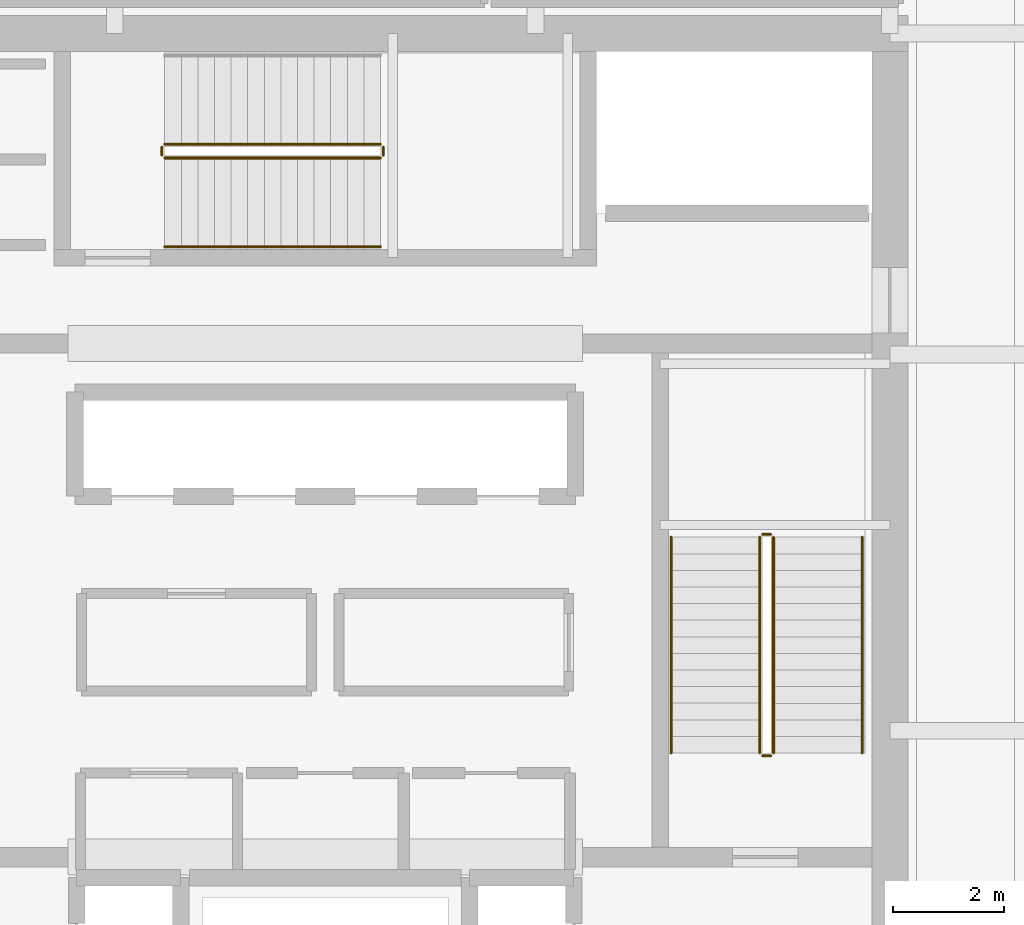
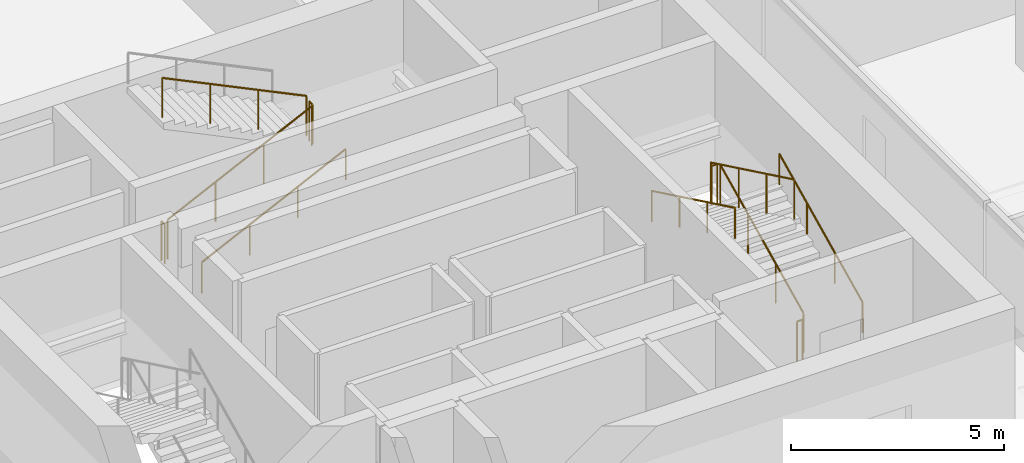
# One storey, part 35 of 36: 11 railings.
"""IFC4 building model written with IfcOpenShell, lengths in metres."""

from ifc_helpers import new_model, si_unit, direction, frame, origin, origin_2d, place, context, subcontext, project, spatial, circle, extrude, material, type_object, element, save


model = new_model("IFC4")

# Units and contexts
model_context = context("Model", 3, precision=1e-05, world=origin(), true_north=direction((0.0, 1.0)))
body_context = subcontext(model_context, "Body", "Model", "MODEL_VIEW")
ifc_project = project(units=[si_unit("LENGTHUNIT", "METRE"), si_unit("AREAUNIT", "SQUARE_METRE"), si_unit("VOLUMEUNIT", "CUBIC_METRE"), si_unit("PLANEANGLEUNIT", "RADIAN"), si_unit("MASSUNIT", "GRAM", prefix="KILO")], contexts=[model_context])

# Site, building, storey
site_placement = place(None, origin())
site = spatial("IfcSite", under=ifc_project, at=site_placement, CompositionType="ELEMENT")
building_placement = place(site_placement, origin())
building = spatial("IfcBuilding", under=site, at=building_placement, Name="Punatoya Terracotta Tower", CompositionType="ELEMENT")
storey_placement = place(building_placement, frame((0.0, 0.0, 208.64990234375)))
storey = spatial("IfcBuildingStorey", under=building, at=storey_placement, Name="L49", CompositionType="ELEMENT", Elevation=208.64990234375)

# Railings
ifc_material = material(Name="Steel S355", Category="steel")
railing_type_1 = type_object("IfcRailingType", Name="RLG-GRD-1150", PredefinedType="GUARDRAIL", material=ifc_material)
railing_1_placement = place(storey_placement, frame((8.10009765625, -3.800048828125, 0.144775390625)))
element("IfcRailing", 1, at=railing_1_placement, inside=storey, type_object=railing_type_1, Name="L49 ST-2 stair guard 1", PredefinedType="GUARDRAIL", context=body_context, shape_type="SweptSolid", body=[
    extrude(circle(Radius=0.02392578125, at=origin_2d()), frame((0.0, 0.0, 1.1259765625), z_axis=(0.0, 0.900773802044, 0.434288564841), x_axis=(-1.0, 0.0, 0.0)), (0.0, 0.0, 1.0), 4.329833984375),
    extrude(circle(Radius=0.02099609375, at=origin_2d()), origin(), (0.0, 0.0, 1.0), 1.101806640625),
    extrude(circle(Radius=0.02099609375, at=origin_2d()), frame((0.0, 1.300048828125, 0.626708984375)), (0.0, 0.0, 1.0), 1.101806640625),
    extrude(circle(Radius=0.02099609375, at=origin_2d()), frame((0.0, 2.60009765625, 1.253662109375)), (0.0, 0.0, 1.0), 1.101806640625),
    extrude(circle(Radius=0.02099609375, at=origin_2d()), frame((0.0, 3.900146484375, 1.88037109375)), (0.0, 0.0, 1.0), 1.101806640625),
])
railing_2_placement = place(storey_placement, frame((8.050048828125, 0.14990234375, 2.025146484375)))
element("IfcRailing", 2, at=railing_2_placement, inside=storey, type_object=railing_type_1, Name="L49 ST-2 stair guard 2", PredefinedType="GUARDRAIL", context=body_context, shape_type="SweptSolid", body=[
    extrude(circle(Radius=0.02392578125, at=origin_2d()), frame((0.0, 0.0, 1.1259765625), z_axis=(-1.0, 0.0, 0.0), x_axis=(0.0, -1.0, 0.0)), (0.0, 0.0, 1.0), 0.150146484375),
    extrude(circle(Radius=0.02099609375, at=origin_2d()), origin(), (0.0, 0.0, 1.0), 1.101806640625),
    extrude(circle(Radius=0.02099609375, at=origin_2d()), frame((-0.150146484375, 0.0, 0.0)), (0.0, 0.0, 1.0), 1.101806640625),
])
railing_3_placement = place(storey_placement, frame((7.85009765625, 0.10009765625, 2.169677734375)))
element("IfcRailing", 3, at=railing_3_placement, inside=storey, type_object=railing_type_1, Name="L49 ST-2 stair guard 3", PredefinedType="GUARDRAIL", context=body_context, shape_type="SweptSolid", body=[
    extrude(circle(Radius=0.02392578125, at=origin_2d()), frame((0.0, 0.0, 1.1259765625), z_axis=(0.0, -0.900773802044, 0.434288564841), x_axis=(1.0, 0.0, 0.0)), (0.0, 0.0, 1.0), 4.329833984375),
    extrude(circle(Radius=0.02099609375, at=origin_2d()), origin(), (0.0, 0.0, 1.0), 1.101806640625),
    extrude(circle(Radius=0.02099609375, at=origin_2d()), frame((0.0, -1.300048828125, 0.626708984375)), (0.0, 0.0, 1.0), 1.101806640625),
    extrude(circle(Radius=0.02099609375, at=origin_2d()), frame((0.0, -2.60009765625, 1.253662109375)), (0.0, 0.0, 1.0), 1.101806640625),
    extrude(circle(Radius=0.02099609375, at=origin_2d()), frame((0.0, -3.900146484375, 1.88037109375)), (0.0, 0.0, 1.0), 1.101806640625),
])
railing_4_placement = place(storey_placement, frame((8.050048828125, -3.85009765625, 0.0)))
element("IfcRailing", 4, at=railing_4_placement, inside=storey, type_object=railing_type_1, Name="L49 ST-2 stair guard 4", PredefinedType="GUARDRAIL", context=body_context, shape_type="SweptSolid", body=[
    extrude(circle(Radius=0.02392578125, at=origin_2d()), frame((0.0, 0.0, 1.1259765625), z_axis=(-1.0, 0.0, 0.0), x_axis=(0.0, -1.0, 0.0)), (0.0, 0.0, 1.0), 0.150146484375),
    extrude(circle(Radius=0.02099609375, at=origin_2d()), origin(), (0.0, 0.0, 1.0), 1.101806640625),
    extrude(circle(Radius=0.02099609375, at=origin_2d()), frame((-0.150146484375, 0.0, 0.0)), (0.0, 0.0, 1.0), 1.101806640625),
])
railing_5_placement = place(storey_placement, frame((-2.89990234375, 6.949951171875, 0.144775390625)))
element("IfcRailing", 5, at=railing_5_placement, inside=storey, type_object=railing_type_1, Name="L49 ST-3 stair guard 1", PredefinedType="GUARDRAIL", context=body_context, shape_type="SweptSolid", body=[
    extrude(circle(Radius=0.02392578125, at=origin_2d()), frame((0.0, 0.0, 1.1259765625), z_axis=(0.900763166376, 0.0, 0.434310623978), x_axis=(0.0, 1.0, 0.0)), (0.0, 0.0, 1.0), 4.32958984375),
    extrude(circle(Radius=0.02099609375, at=origin_2d()), origin(), (0.0, 0.0, 1.0), 1.101806640625),
    extrude(circle(Radius=0.02099609375, at=origin_2d()), frame((1.300048828125, 0.0, 0.626708984375)), (0.0, 0.0, 1.0), 1.101806640625),
    extrude(circle(Radius=0.02099609375, at=origin_2d()), frame((2.599853515625, 0.0, 1.253662109375)), (0.0, 0.0, 1.0), 1.101806640625),
    extrude(circle(Radius=0.02099609375, at=origin_2d()), frame((3.89990234375, 0.0, 1.88037109375)), (0.0, 0.0, 1.0), 1.101806640625),
])
railing_6_placement = place(storey_placement, frame((1.050048828125, 7.0, 2.025146484375)))
element("IfcRailing", 6, at=railing_6_placement, inside=storey, type_object=railing_type_1, Name="L49 ST-3 stair guard 2", PredefinedType="GUARDRAIL", context=body_context, shape_type="SweptSolid", body=[
    extrude(circle(Radius=0.02392578125, at=origin_2d()), frame((0.0, 0.0, 1.1259765625), z_axis=(0.0, 1.0, 0.0), x_axis=(-1.0, 0.0, 0.0)), (0.0, 0.0, 1.0), 0.14990234375),
    extrude(circle(Radius=0.02099609375, at=origin_2d()), origin(), (0.0, 0.0, 1.0), 1.101806640625),
    extrude(circle(Radius=0.02099609375, at=origin_2d()), frame((0.0, 0.14990234375, 0.0)), (0.0, 0.0, 1.0), 1.101806640625),
])
railing_7_placement = place(storey_placement, frame((1.0, 7.199951171875, 2.169677734375)))
element("IfcRailing", 7, at=railing_7_placement, inside=storey, type_object=railing_type_1, Name="L49 ST-3 stair guard 3", PredefinedType="GUARDRAIL", context=body_context, shape_type="SweptSolid", body=[
    extrude(circle(Radius=0.02392578125, at=origin_2d()), frame((0.0, 0.0, 1.1259765625), z_axis=(-0.900763166376, 0.0, 0.434310623978), x_axis=(0.0, -1.0, 0.0)), (0.0, 0.0, 1.0), 4.32958984375),
    extrude(circle(Radius=0.02099609375, at=origin_2d()), origin(), (0.0, 0.0, 1.0), 1.101806640625),
    extrude(circle(Radius=0.02099609375, at=origin_2d()), frame((-1.300048828125, 0.0, 0.626708984375)), (0.0, 0.0, 1.0), 1.101806640625),
    extrude(circle(Radius=0.02099609375, at=origin_2d()), frame((-2.599853515625, 0.0, 1.253662109375)), (0.0, 0.0, 1.0), 1.101806640625),
    extrude(circle(Radius=0.02099609375, at=origin_2d()), frame((-3.89990234375, 0.0, 1.88037109375)), (0.0, 0.0, 1.0), 1.101806640625),
])
railing_8_placement = place(storey_placement, frame((-2.949951171875, 7.0, 0.0)))
element("IfcRailing", 8, at=railing_8_placement, inside=storey, type_object=railing_type_1, Name="L49 ST-3 stair guard 4", PredefinedType="GUARDRAIL", context=body_context, shape_type="SweptSolid", body=[
    extrude(circle(Radius=0.02392578125, at=origin_2d()), frame((0.0, 0.0, 1.1259765625), z_axis=(0.0, 1.0, 0.0), x_axis=(-1.0, 0.0, 0.0)), (0.0, 0.0, 1.0), 0.14990234375),
    extrude(circle(Radius=0.02099609375, at=origin_2d()), origin(), (0.0, 0.0, 1.0), 1.101806640625),
    extrude(circle(Radius=0.02099609375, at=origin_2d()), frame((0.0, 0.14990234375, 0.0)), (0.0, 0.0, 1.0), 1.101806640625),
])
railing_type_2 = type_object("IfcRailingType", Name="RLG-HND-900", PredefinedType="HANDRAIL", material=ifc_material)
railing_9_placement = place(storey_placement, frame((9.699951171875, -3.800048828125, 0.144775390625)))
element("IfcRailing", 9, at=railing_9_placement, inside=storey, type_object=railing_type_2, Name="L49 ST-2 stair handrail 1", PredefinedType="HANDRAIL", context=body_context, shape_type="SweptSolid", body=[
    extrude(circle(Radius=0.02392578125, at=origin_2d()), frame((0.0, 0.0, 0.8759765625), z_axis=(0.0, 0.900773802044, 0.434288564841), x_axis=(-1.0, 0.0, 0.0)), (0.0, 0.0, 1.0), 4.329833984375),
    extrude(circle(Radius=0.02099609375, at=origin_2d()), origin(), (0.0, 0.0, 1.0), 0.851806640625),
    extrude(circle(Radius=0.02099609375, at=origin_2d()), frame((0.0, 1.300048828125, 0.626708984375)), (0.0, 0.0, 1.0), 0.851806640625),
    extrude(circle(Radius=0.02099609375, at=origin_2d()), frame((0.0, 2.60009765625, 1.253662109375)), (0.0, 0.0, 1.0), 0.851806640625),
    extrude(circle(Radius=0.02099609375, at=origin_2d()), frame((0.0, 3.900146484375, 1.88037109375)), (0.0, 0.0, 1.0), 0.851806640625),
])
railing_10_placement = place(storey_placement, frame((6.25, 0.10009765625, 2.169677734375)))
element("IfcRailing", 10, at=railing_10_placement, inside=storey, type_object=railing_type_2, Name="L49 ST-2 stair handrail 2", PredefinedType="HANDRAIL", context=body_context, shape_type="SweptSolid", body=[
    extrude(circle(Radius=0.02392578125, at=origin_2d()), frame((0.0, 0.0, 0.8759765625), z_axis=(0.0, -0.900773802044, 0.434288564841), x_axis=(1.0, 0.0, 0.0)), (0.0, 0.0, 1.0), 4.329833984375),
    extrude(circle(Radius=0.02099609375, at=origin_2d()), origin(), (0.0, 0.0, 1.0), 0.851806640625),
    extrude(circle(Radius=0.02099609375, at=origin_2d()), frame((0.0, -1.300048828125, 0.626708984375)), (0.0, 0.0, 1.0), 0.851806640625),
    extrude(circle(Radius=0.02099609375, at=origin_2d()), frame((0.0, -2.60009765625, 1.253662109375)), (0.0, 0.0, 1.0), 0.851806640625),
    extrude(circle(Radius=0.02099609375, at=origin_2d()), frame((0.0, -3.900146484375, 1.88037109375)), (0.0, 0.0, 1.0), 0.851806640625),
])
railing_11_placement = place(storey_placement, frame((-2.89990234375, 5.35009765625, 0.144775390625)))
element("IfcRailing", 11, at=railing_11_placement, inside=storey, type_object=railing_type_2, Name="L49 ST-3 stair handrail 1", PredefinedType="HANDRAIL", context=body_context, shape_type="SweptSolid", body=[
    extrude(circle(Radius=0.02392578125, at=origin_2d()), frame((0.0, 0.0, 0.8759765625), z_axis=(0.900763166376, 0.0, 0.434310623978), x_axis=(0.0, 1.0, 0.0)), (0.0, 0.0, 1.0), 4.32958984375),
    extrude(circle(Radius=0.02099609375, at=origin_2d()), origin(), (0.0, 0.0, 1.0), 0.851806640625),
    extrude(circle(Radius=0.02099609375, at=origin_2d()), frame((1.300048828125, 0.0, 0.626708984375)), (0.0, 0.0, 1.0), 0.851806640625),
    extrude(circle(Radius=0.02099609375, at=origin_2d()), frame((2.599853515625, 0.0, 1.253662109375)), (0.0, 0.0, 1.0), 0.851806640625),
    extrude(circle(Radius=0.02099609375, at=origin_2d()), frame((3.89990234375, 0.0, 1.88037109375)), (0.0, 0.0, 1.0), 0.851806640625),
])

save(model, "model.ifc")
